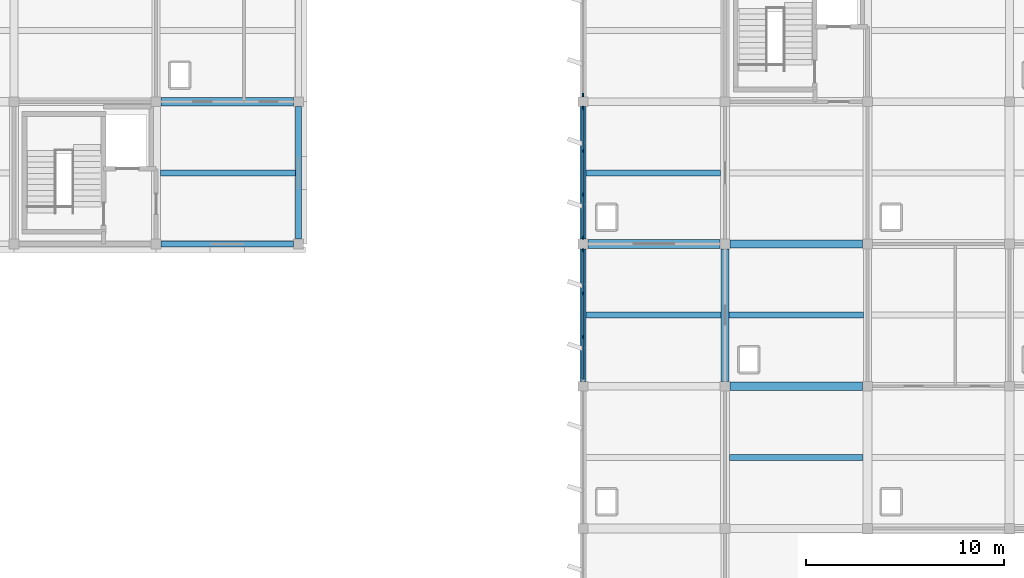
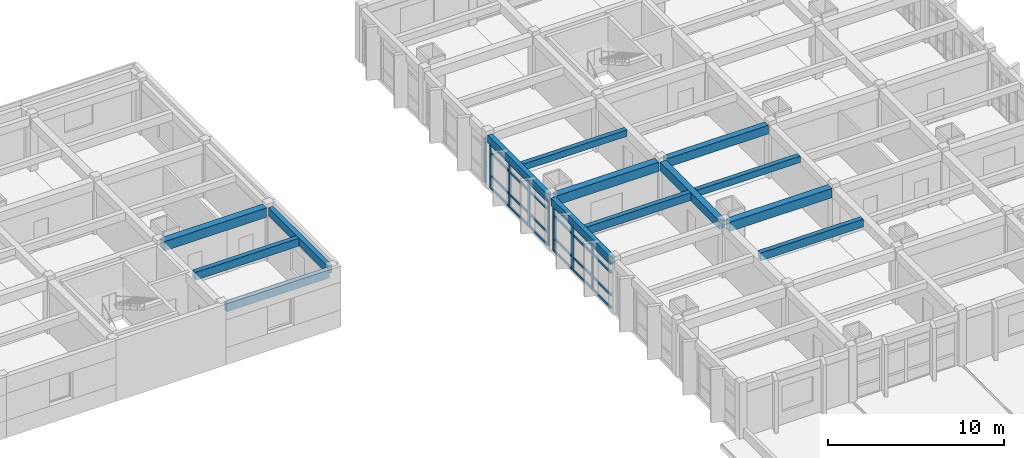
# One storey, part 14 of 40: 32 members, 14 beams, 3 elements without a shape of their own.
"""IFC4 building model written with IfcOpenShell, lengths in metres."""

from ifc_helpers import new_model, si_unit, direction, frame, origin, origin_2d, place, context, subcontext, project, spatial, rectangle, extrude, material, layer, layer_set, material_profile, profile_set, type_object, element, aggregate, save


model = new_model("IFC4")

# Units and contexts
model_context = context("Model", 3, precision=1e-05, world=origin(), true_north=direction((0.0, 1.0)))
body_context = subcontext(model_context, "Body", "Model", "MODEL_VIEW")
ifc_project = project(units=[si_unit("LENGTHUNIT", "METRE"), si_unit("AREAUNIT", "SQUARE_METRE"), si_unit("VOLUMEUNIT", "CUBIC_METRE"), si_unit("PLANEANGLEUNIT", "RADIAN"), si_unit("MASSUNIT", "GRAM", prefix="KILO")], contexts=[model_context])

# Site, building, storey
site_placement = place(None, origin())
site = spatial("IfcSite", under=ifc_project, at=site_placement, CompositionType="ELEMENT")
building_placement = place(site_placement, origin())
building = spatial("IfcBuilding", under=site, at=building_placement, Name="Kavelor Marine Aquarium", CompositionType="ELEMENT")
storey_placement = place(building_placement, frame((0.0, 0.0, 17.639892578125)))
storey = spatial("IfcBuildingStorey", under=building, at=storey_placement, Name="L04", CompositionType="ELEMENT", Elevation=17.639892578125)

# Beams
ifc_material_1 = material(Name="Concrete C40/50", Category="concrete")
ifc_material_profile_1 = material_profile(ifc_material_1, rectangle(XDim=0.449951171875, YDim=0.64990234375, at=origin_2d()), Name="RC-BM 450x650")
ifc_profile_set_1 = profile_set([ifc_material_profile_1], Name="Concrete C40/50")
beam_type_1 = type_object("IfcBeamType", Name="BM-B3", PredefinedType="BEAM", material=ifc_profile_set_1)
beam_1_placement = place(storey_placement, frame((97.050048828125, 96.39990234375, 3.375), z_axis=(1.0, 0.0, 0.0), x_axis=(0.0, 1.0, 0.0)))
element("IfcBeam", 1, at=beam_1_placement, inside=storey, type_object=beam_type_1, Name="bm:x:L04:L05:13_13", PredefinedType="BEAM", context=body_context, shape_type="SweptSolid", body=[
    extrude(rectangle(XDim=0.449951171875, YDim=0.64990234375, at=origin_2d()), origin(), (0.0, 0.0, 1.0), 6.699951171875),
])
beam_2_placement = place(storey_placement, frame((118.64990234375, 89.199951171875, 3.355224609375), z_axis=(1.0, 0.0, 0.0), x_axis=(0.0, 1.0, 0.0)))
element("IfcBeam", 2, at=beam_2_placement, inside=storey, type_object=beam_type_1, Name="bm:x:L04:L05:16_12", PredefinedType="BEAM", context=body_context, shape_type="SweptSolid", body=[
    extrude(rectangle(XDim=0.449951171875, YDim=0.64990234375, at=origin_2d()), origin(), (0.0, 0.0, 1.0), 6.7001953125),
])
beam_3_placement = place(storey_placement, frame((125.85009765625, 82.0, 3.375), z_axis=(1.0, 0.0, 0.0), x_axis=(0.0, 1.0, 0.0)))
element("IfcBeam", 3, at=beam_3_placement, inside=storey, type_object=beam_type_1, Name="bm:x:L04:L05:17_11", PredefinedType="BEAM", context=body_context, shape_type="SweptSolid", body=[
    extrude(rectangle(XDim=0.449951171875, YDim=0.64990234375, at=origin_2d()), origin(), (0.0, 0.0, 1.0), 6.699951171875),
])
ifc_material_2 = material(Name="Concrete C40/50", Category="concrete")
ifc_material_profile_2 = material_profile(ifc_material_2, rectangle(XDim=0.39990234375, YDim=0.60009765625, at=origin_2d()), Name="RC-BM 400x600")
ifc_profile_set_2 = profile_set([ifc_material_profile_2], Name="Concrete C40/50")
beam_type_2 = type_object("IfcBeamType", Name="BM-B4", PredefinedType="BEAM", material=ifc_profile_set_2)
for number, where, z_axis, x_axis, name in (
    (4, (125.85009765625, 89.199951171875, 3.400146484375), (1.0, 0.0, 0.0), (0.0, 1.0, 0.0), "bm:x:L04:L05:17_12"),
    (5, (125.60009765625, 82.25, 3.380126953125), (0.0, 1.0, 0.0), (-1.0, 0.0, 0.0), "bm:y:L04:L05:17_11"),
):
    element("IfcBeam", number, at=place(storey_placement, frame(where, z_axis=z_axis, x_axis=x_axis)), inside=storey, type_object=beam_type_2, Name=name, PredefinedType="BEAM", context=body_context, shape_type="SweptSolid", body=[
        extrude(rectangle(XDim=0.39990234375, YDim=0.60009765625, at=origin_2d()), origin(), (0.0, 0.0, 1.0), 6.699951171875),
    ])
ifc_material_3 = material(Name="Concrete C40/50", Category="concrete")
ifc_material_profile_3 = material_profile(ifc_material_3, rectangle(XDim=0.300048828125, YDim=0.449951171875, at=origin_2d()), Name="RC-JS 300x450")
ifc_profile_set_3 = profile_set([ifc_material_profile_3], Name="Concrete C40/50")
beam_type_3 = type_object("IfcBeamType", Name="BM-JS1", PredefinedType="JOIST", material=ifc_profile_set_3)
beam_4_placement = place(storey_placement, frame((118.550048828125, 92.800048828125, 3.455078125), z_axis=(1.0, 0.0, 0.0), x_axis=(0.0, 1.0, 0.0)))
element("IfcBeam", 6, at=beam_4_placement, inside=storey, type_object=beam_type_3, Name="js:L04:L05:16_12", PredefinedType="JOIST", context=body_context, shape_type="SweptSolid", body=[
    extrude(rectangle(XDim=0.300048828125, YDim=0.449951171875, at=origin_2d()), origin(), (0.0, 0.0, 1.0), 6.824951171875),
])
beam_5_placement = place(storey_placement, frame((125.800048828125, 85.60009765625, 3.47509765625), z_axis=(1.0, 0.0, 0.0), x_axis=(0.0, 1.0, 0.0)))
element("IfcBeam", 7, at=beam_5_placement, inside=storey, type_object=beam_type_3, Name="js:L04:L05:17_11", PredefinedType="JOIST", context=body_context, shape_type="SweptSolid", body=[
    extrude(rectangle(XDim=0.300048828125, YDim=0.449951171875, at=origin_2d()), origin(), (0.0, 0.0, 1.0), 6.800048828125),
])
ifc_material_4 = material(Name="Concrete C40/50", Category="concrete")
ifc_material_profile_4 = material_profile(ifc_material_4, rectangle(XDim=0.300048828125, YDim=0.550048828125, at=origin_2d()), Name="RC-JS 300x550")
ifc_profile_set_4 = profile_set([ifc_material_profile_4], Name="Concrete C40/50")
beam_type_4 = type_object("IfcBeamType", Name="BM-JS2", PredefinedType="JOIST", material=ifc_profile_set_4)
beam_6_placement = place(storey_placement, frame((97.02490234375, 92.800048828125, 3.425048828125), z_axis=(1.0, 0.0, 0.0), x_axis=(0.0, 1.0, 0.0)))
element("IfcBeam", 8, at=beam_6_placement, inside=storey, type_object=beam_type_4, Name="js:L04:L05:13_12", PredefinedType="JOIST", context=body_context, shape_type="SweptSolid", body=[
    extrude(rectangle(XDim=0.300048828125, YDim=0.550048828125, at=origin_2d()), origin(), (0.0, 0.0, 1.0), 6.8251953125),
])
beam_7_placement = place(storey_placement, frame((118.550048828125, 85.60009765625, 3.405029296875), z_axis=(1.0, 0.0, 0.0), x_axis=(0.0, 1.0, 0.0)))
element("IfcBeam", 9, at=beam_7_placement, inside=storey, type_object=beam_type_4, Name="js:L04:L05:16_11", PredefinedType="JOIST", context=body_context, shape_type="SweptSolid", body=[
    extrude(rectangle(XDim=0.300048828125, YDim=0.550048828125, at=origin_2d()), origin(), (0.0, 0.0, 1.0), 6.849853515625),
])
beam_8_placement = place(storey_placement, frame((125.824951171875, 78.39990234375, 3.425048828125), z_axis=(1.0, 0.0, 0.0), x_axis=(0.0, 1.0, 0.0)))
element("IfcBeam", 10, at=beam_8_placement, inside=storey, type_object=beam_type_4, Name="js:L04:L05:17_10", PredefinedType="JOIST", context=body_context, shape_type="SweptSolid", body=[
    extrude(rectangle(XDim=0.300048828125, YDim=0.550048828125, at=origin_2d()), origin(), (0.0, 0.0, 1.0), 6.75),
])
ifc_material_5 = material(Name="Concrete C40/50", Category="concrete")
ifc_material_profile_5 = material_profile(ifc_material_5, rectangle(XDim=0.300048828125, YDim=0.550048828125, at=origin_2d()), Name="RC-SP 300x550")
ifc_profile_set_5 = profile_set([ifc_material_profile_5], Name="Concrete C40/50")
beam_type_5 = type_object("IfcBeamType", Name="BM-SP2", PredefinedType="SPANDREL", material=ifc_profile_set_5)
for number, where, z_axis, x_axis, name in (
    (11, (97.050048828125, 89.199951171875, 3.425048828125), (1.0, 0.0, 0.0), (0.0, 1.0, 0.0), "bm:x:L04:L05:13_12"),
    (12, (104.0, 89.449951171875, 3.425048828125), (0.0, 1.0, 0.0), (-1.0, 0.0, 0.0), "bm:y:L04:L05:14_12"),
    (13, (118.39990234375, 82.25, 3.405029296875), (0.0, 1.0, 0.0), (-1.0, 0.0, 0.0), "bm:y:L04:L05:16_11"),
    (14, (118.39990234375, 89.449951171875, 3.405029296875), (0.0, 1.0, 0.0), (-1.0, 0.0, 0.0), "bm:y:L04:L05:16_12"),
):
    element("IfcBeam", number, at=place(storey_placement, frame(where, z_axis=z_axis, x_axis=x_axis)), inside=storey, type_object=beam_type_5, Name=name, PredefinedType="SPANDREL", context=body_context, shape_type="SweptSolid", body=[
        extrude(rectangle(XDim=0.300048828125, YDim=0.550048828125, at=origin_2d()), origin(), (0.0, 0.0, 1.0), 6.699951171875),
    ])

# Curtain wall, member
ifc_material_6 = material(Name="Thermally Broken Aluminium and Low-E Glass", Category="aluminium")
ifc_layer_1 = layer(ifc_material_6, 0.31591796875)
ifc_layer_set_1 = layer_set([ifc_layer_1], Name="CW-SYS22")
curtain_wall_type_1 = type_object("IfcCurtainWallType", Name="CW-SYS22", PredefinedType="USERDEFINED", material=ifc_layer_set_1)
curtain_wall_1_placement = place(storey_placement, origin())
curtain_wall_1 = element("IfcCurtainWall", 15, at=curtain_wall_1_placement, inside=storey, type_object=curtain_wall_type_1, Name="cw:y:L04:16_13", ObjectType="Curtain Wall", PredefinedType="USERDEFINED")
ifc_material_7 = material(Name="Anodised Aluminium Alloy 6063-T6", Category="aluminium")
ifc_material_profile_6 = material_profile(ifc_material_7, rectangle(XDim=0.074951171875, YDim=0.179931640625, at=origin_2d()), Name="CW-MUL 75x180")
ifc_profile_set_6 = profile_set([ifc_material_profile_6], Name="Anodised Aluminium Alloy 6063-T6")
member_type_1 = type_object("IfcMemberType", Name="CWM-1", PredefinedType="MULLION", material=ifc_profile_set_6)
member_1_placement = place(storey_placement, frame((118.39990234375, 96.732421875, 0.0), z_axis=(0.0, 0.0, 1.0), x_axis=(1.0, 0.0, 0.0)))
member_1 = element("IfcMember", 16, at=member_1_placement, type_object=member_type_1, Name="CW22 mullion 4", PredefinedType="MULLION", context=body_context, shape_type="SweptSolid", body=[
    extrude(rectangle(XDim=0.074951171875, YDim=0.179931640625, at=origin_2d()), origin(), (0.0, 0.0, 1.0), 3.1201171875),
])
aggregate(curtain_wall_1, [member_1])

# Curtain wall, members
ifc_material_8 = material(Name="Thermally Broken Aluminium and Low-E Glass", Category="aluminium")
ifc_layer_2 = layer(ifc_material_8, 0.300048828125)
ifc_layer_set_2 = layer_set([ifc_layer_2], Name="CW-SYS20")
curtain_wall_type_2 = type_object("IfcCurtainWallType", Name="CW-SYS20", PredefinedType="USERDEFINED", material=ifc_layer_set_2)
curtain_wall_2_placement = place(storey_placement, origin())
curtain_wall_2 = element("IfcCurtainWall", 17, at=curtain_wall_2_placement, inside=storey, type_object=curtain_wall_type_2, Name="cw:y:L04:16_11", ObjectType="Curtain Wall", PredefinedType="USERDEFINED")
ifc_material_9 = material(Name="Anodised Aluminium Alloy 6063-T6", Category="aluminium")
ifc_material_profile_7 = material_profile(ifc_material_9, rectangle(XDim=0.080078125, YDim=0.18505859375, at=origin_2d()), Name="CW-MUL 80x185")
ifc_profile_set_7 = profile_set([ifc_material_profile_7], Name="Anodised Aluminium Alloy 6063-T6")
member_type_2 = type_object("IfcMemberType", Name="CWM-2", PredefinedType="MULLION", material=ifc_profile_set_7)
member_2_placement = place(storey_placement, frame((118.39990234375, 88.87255859375, 0.0), z_axis=(0.0, 0.0, 1.0), x_axis=(1.0, 0.0, 0.0)))
member_2 = element("IfcMember", 18, at=member_2_placement, type_object=member_type_2, Name="CW20 mullion 1", PredefinedType="MULLION", context=body_context, shape_type="SweptSolid", body=[
    extrude(rectangle(XDim=0.080078125, YDim=0.18505859375, at=origin_2d()), origin(), (0.0, 0.0, 1.0), 3.1201171875),
])
member_3_placement = place(storey_placement, frame((118.39990234375, 86.70166015625, 0.0), z_axis=(0.0, 0.0, 1.0), x_axis=(1.0, 0.0, 0.0)))
member_3 = element("IfcMember", 19, at=member_3_placement, type_object=member_type_2, Name="CW20 mullion 2", PredefinedType="MULLION", context=body_context, shape_type="SweptSolid", body=[
    extrude(rectangle(XDim=0.080078125, YDim=0.18505859375, at=origin_2d()), origin(), (0.0, 0.0, 1.0), 3.1201171875),
])
member_4_placement = place(storey_placement, frame((118.39990234375, 84.498291015625, 0.0), z_axis=(0.0, 0.0, 1.0), x_axis=(1.0, 0.0, 0.0)))
member_4 = element("IfcMember", 20, at=member_4_placement, type_object=member_type_2, Name="CW20 mullion 3", PredefinedType="MULLION", context=body_context, shape_type="SweptSolid", body=[
    extrude(rectangle(XDim=0.080078125, YDim=0.18505859375, at=origin_2d()), origin(), (0.0, 0.0, 1.0), 3.1201171875),
])

ifc_material_10 = material(Name="Thermally Broken Aluminium and Low-E Glass", Category="aluminium")
ifc_layer_3 = layer(ifc_material_10, 0.30810546875)
ifc_layer_set_3 = layer_set([ifc_layer_3], Name="CW-SYS21")
curtain_wall_type_3 = type_object("IfcCurtainWallType", Name="CW-SYS21", PredefinedType="USERDEFINED", material=ifc_layer_set_3)
curtain_wall_3_placement = place(storey_placement, origin())
curtain_wall_3 = element("IfcCurtainWall", 21, at=curtain_wall_3_placement, inside=storey, type_object=curtain_wall_type_3, Name="cw:y:L04:16_12", ObjectType="Curtain Wall", PredefinedType="USERDEFINED")
ifc_material_11 = material(Name="Anodised Aluminium Alloy 6063-T6", Category="aluminium")
ifc_material_profile_8 = material_profile(ifc_material_11, rectangle(XDim=0.0849609375, YDim=0.18994140625, at=origin_2d()), Name="CW-MUL 85x190")
ifc_profile_set_8 = profile_set([ifc_material_profile_8], Name="Anodised Aluminium Alloy 6063-T6")
member_type_3 = type_object("IfcMemberType", Name="CWM-3", PredefinedType="MULLION", material=ifc_profile_set_8)
member_5_placement = place(storey_placement, frame((118.39990234375, 96.074951171875, 0.0), z_axis=(0.0, 0.0, 1.0), x_axis=(1.0, 0.0, 0.0)))
member_5 = element("IfcMember", 22, at=member_5_placement, type_object=member_type_3, Name="CW21 mullion 1", PredefinedType="MULLION", context=body_context, shape_type="SweptSolid", body=[
    extrude(rectangle(XDim=0.0849609375, YDim=0.18994140625, at=origin_2d()), origin(), (0.0, 0.0, 1.0), 3.1201171875),
])
member_6_placement = place(storey_placement, frame((118.39990234375, 93.901611328125, 0.0), z_axis=(0.0, 0.0, 1.0), x_axis=(1.0, 0.0, 0.0)))
member_6 = element("IfcMember", 23, at=member_6_placement, type_object=member_type_3, Name="CW21 mullion 2", PredefinedType="MULLION", context=body_context, shape_type="SweptSolid", body=[
    extrude(rectangle(XDim=0.0849609375, YDim=0.18994140625, at=origin_2d()), origin(), (0.0, 0.0, 1.0), 3.1201171875),
])
member_7_placement = place(storey_placement, frame((118.39990234375, 91.6982421875, 0.0), z_axis=(0.0, 0.0, 1.0), x_axis=(1.0, 0.0, 0.0)))
member_7 = element("IfcMember", 24, at=member_7_placement, type_object=member_type_3, Name="CW21 mullion 3", PredefinedType="MULLION", context=body_context, shape_type="SweptSolid", body=[
    extrude(rectangle(XDim=0.0849609375, YDim=0.18994140625, at=origin_2d()), origin(), (0.0, 0.0, 1.0), 3.1201171875),
])
member_8_placement = place(storey_placement, frame((118.39990234375, 89.52490234375, 0.0), z_axis=(0.0, 0.0, 1.0), x_axis=(1.0, 0.0, 0.0)))
member_8 = element("IfcMember", 25, at=member_8_placement, type_object=member_type_3, Name="CW21 mullion 4", PredefinedType="MULLION", context=body_context, shape_type="SweptSolid", body=[
    extrude(rectangle(XDim=0.0849609375, YDim=0.18994140625, at=origin_2d()), origin(), (0.0, 0.0, 1.0), 3.1201171875),
])

# Member
ifc_material_12 = material(Name="Anodised Aluminium Alloy 6063-T6", Category="aluminium")
ifc_material_profile_9 = material_profile(ifc_material_12, rectangle(XDim=0.080078125, YDim=0.155029296875, at=origin_2d()), Name="CW-TRN 80x155")
ifc_profile_set_9 = profile_set([ifc_material_profile_9], Name="Anodised Aluminium Alloy 6063-T6")
member_type_4 = type_object("IfcMemberType", Name="CWT-2", PredefinedType="USERDEFINED", material=ifc_profile_set_9)
member_9_placement = place(storey_placement, frame((118.39990234375, 88.840087890625, 0.03271484375), z_axis=(0.0, -1.0, 0.0), x_axis=(1.0, 0.0, 0.0)))
member_9 = element("IfcMember", 26, at=member_9_placement, type_object=member_type_4, Name="CW20 transom 1.1", ObjectType="TRANSOM", PredefinedType="USERDEFINED", context=body_context, shape_type="SweptSolid", body=[
    extrude(rectangle(XDim=0.080078125, YDim=0.155029296875, at=origin_2d()), origin(), (0.0, 0.0, 1.0), 2.10595703125),
])

member_10_placement = place(storey_placement, frame((118.39990234375, 88.840087890625, 0.900146484375), z_axis=(0.0, -1.0, 0.0), x_axis=(1.0, 0.0, 0.0)))
member_10 = element("IfcMember", 27, at=member_10_placement, type_object=member_type_4, Name="CW20 transom 1.2", ObjectType="TRANSOM", PredefinedType="USERDEFINED", context=body_context, shape_type="SweptSolid", body=[
    extrude(rectangle(XDim=0.080078125, YDim=0.155029296875, at=origin_2d()), origin(), (0.0, 0.0, 1.0), 2.10595703125),
])

member_11_placement = place(storey_placement, frame((118.39990234375, 88.840087890625, 2.47021484375), z_axis=(0.0, -1.0, 0.0), x_axis=(1.0, 0.0, 0.0)))
member_11 = element("IfcMember", 28, at=member_11_placement, type_object=member_type_4, Name="CW20 transom 1.3", ObjectType="TRANSOM", PredefinedType="USERDEFINED", context=body_context, shape_type="SweptSolid", body=[
    extrude(rectangle(XDim=0.080078125, YDim=0.155029296875, at=origin_2d()), origin(), (0.0, 0.0, 1.0), 2.10595703125),
])

member_12_placement = place(storey_placement, frame((118.39990234375, 88.840087890625, 3.087646484375), z_axis=(0.0, -1.0, 0.0), x_axis=(1.0, 0.0, 0.0)))
member_12 = element("IfcMember", 29, at=member_12_placement, type_object=member_type_4, Name="CW20 transom 1.4", ObjectType="TRANSOM", PredefinedType="USERDEFINED", context=body_context, shape_type="SweptSolid", body=[
    extrude(rectangle(XDim=0.080078125, YDim=0.155029296875, at=origin_2d()), origin(), (0.0, 0.0, 1.0), 2.10595703125),
])

member_13_placement = place(storey_placement, frame((118.39990234375, 86.669189453125, 0.03271484375), z_axis=(0.0, -1.0, 0.0), x_axis=(1.0, 0.0, 0.0)))
member_13 = element("IfcMember", 30, at=member_13_placement, type_object=member_type_4, Name="CW20 transom 2.1", ObjectType="TRANSOM", PredefinedType="USERDEFINED", context=body_context, shape_type="SweptSolid", body=[
    extrude(rectangle(XDim=0.080078125, YDim=0.155029296875, at=origin_2d()), origin(), (0.0, 0.0, 1.0), 2.138427734375),
])

member_14_placement = place(storey_placement, frame((118.39990234375, 86.669189453125, 0.900146484375), z_axis=(0.0, -1.0, 0.0), x_axis=(1.0, 0.0, 0.0)))
member_14 = element("IfcMember", 31, at=member_14_placement, type_object=member_type_4, Name="CW20 transom 2.2", ObjectType="TRANSOM", PredefinedType="USERDEFINED", context=body_context, shape_type="SweptSolid", body=[
    extrude(rectangle(XDim=0.080078125, YDim=0.155029296875, at=origin_2d()), origin(), (0.0, 0.0, 1.0), 2.138427734375),
])

member_15_placement = place(storey_placement, frame((118.39990234375, 86.669189453125, 2.47021484375), z_axis=(0.0, -1.0, 0.0), x_axis=(1.0, 0.0, 0.0)))
member_15 = element("IfcMember", 32, at=member_15_placement, type_object=member_type_4, Name="CW20 transom 2.3", ObjectType="TRANSOM", PredefinedType="USERDEFINED", context=body_context, shape_type="SweptSolid", body=[
    extrude(rectangle(XDim=0.080078125, YDim=0.155029296875, at=origin_2d()), origin(), (0.0, 0.0, 1.0), 2.138427734375),
])

member_16_placement = place(storey_placement, frame((118.39990234375, 86.669189453125, 3.087646484375), z_axis=(0.0, -1.0, 0.0), x_axis=(1.0, 0.0, 0.0)))
member_16 = element("IfcMember", 33, at=member_16_placement, type_object=member_type_4, Name="CW20 transom 2.4", ObjectType="TRANSOM", PredefinedType="USERDEFINED", context=body_context, shape_type="SweptSolid", body=[
    extrude(rectangle(XDim=0.080078125, YDim=0.155029296875, at=origin_2d()), origin(), (0.0, 0.0, 1.0), 2.138427734375),
])

member_17_placement = place(storey_placement, frame((118.39990234375, 84.4658203125, 0.03271484375), z_axis=(0.0, -1.0, 0.0), x_axis=(1.0, 0.0, 0.0)))
member_17 = element("IfcMember", 34, at=member_17_placement, type_object=member_type_4, Name="CW20 transom 3.1", ObjectType="TRANSOM", PredefinedType="USERDEFINED", context=body_context, shape_type="SweptSolid", body=[
    extrude(rectangle(XDim=0.080078125, YDim=0.155029296875, at=origin_2d()), origin(), (0.0, 0.0, 1.0), 2.105712890625),
])

member_18_placement = place(storey_placement, frame((118.39990234375, 84.4658203125, 0.900146484375), z_axis=(0.0, -1.0, 0.0), x_axis=(1.0, 0.0, 0.0)))
member_18 = element("IfcMember", 35, at=member_18_placement, type_object=member_type_4, Name="CW20 transom 3.2", ObjectType="TRANSOM", PredefinedType="USERDEFINED", context=body_context, shape_type="SweptSolid", body=[
    extrude(rectangle(XDim=0.080078125, YDim=0.155029296875, at=origin_2d()), origin(), (0.0, 0.0, 1.0), 2.105712890625),
])

member_19_placement = place(storey_placement, frame((118.39990234375, 84.4658203125, 2.47021484375), z_axis=(0.0, -1.0, 0.0), x_axis=(1.0, 0.0, 0.0)))
member_19 = element("IfcMember", 36, at=member_19_placement, type_object=member_type_4, Name="CW20 transom 3.3", ObjectType="TRANSOM", PredefinedType="USERDEFINED", context=body_context, shape_type="SweptSolid", body=[
    extrude(rectangle(XDim=0.080078125, YDim=0.155029296875, at=origin_2d()), origin(), (0.0, 0.0, 1.0), 2.105712890625),
])

member_20_placement = place(storey_placement, frame((118.39990234375, 84.4658203125, 3.087646484375), z_axis=(0.0, -1.0, 0.0), x_axis=(1.0, 0.0, 0.0)))
member_20 = element("IfcMember", 37, at=member_20_placement, type_object=member_type_4, Name="CW20 transom 3.4", ObjectType="TRANSOM", PredefinedType="USERDEFINED", context=body_context, shape_type="SweptSolid", body=[
    extrude(rectangle(XDim=0.080078125, YDim=0.155029296875, at=origin_2d()), origin(), (0.0, 0.0, 1.0), 2.105712890625),
])

aggregate(curtain_wall_2, [member_2, member_3, member_4, member_9, member_10, member_11, member_12, member_13, member_14, member_15, member_16, member_17, member_18, member_19, member_20])

member_21_placement = place(storey_placement, frame((118.39990234375, 96.044921875, 0.03271484375), z_axis=(0.0, -1.0, 0.0), x_axis=(1.0, 0.0, 0.0)))
member_21 = element("IfcMember", 38, at=member_21_placement, type_object=member_type_4, Name="CW21 transom 1.1", ObjectType="TRANSOM", PredefinedType="USERDEFINED", context=body_context, shape_type="SweptSolid", body=[
    extrude(rectangle(XDim=0.080078125, YDim=0.155029296875, at=origin_2d()), origin(), (0.0, 0.0, 1.0), 2.11328125),
])

member_22_placement = place(storey_placement, frame((118.39990234375, 96.044921875, 0.900146484375), z_axis=(0.0, -1.0, 0.0), x_axis=(1.0, 0.0, 0.0)))
member_22 = element("IfcMember", 39, at=member_22_placement, type_object=member_type_4, Name="CW21 transom 1.2", ObjectType="TRANSOM", PredefinedType="USERDEFINED", context=body_context, shape_type="SweptSolid", body=[
    extrude(rectangle(XDim=0.080078125, YDim=0.155029296875, at=origin_2d()), origin(), (0.0, 0.0, 1.0), 2.11328125),
])

member_23_placement = place(storey_placement, frame((118.39990234375, 96.044921875, 2.47021484375), z_axis=(0.0, -1.0, 0.0), x_axis=(1.0, 0.0, 0.0)))
member_23 = element("IfcMember", 40, at=member_23_placement, type_object=member_type_4, Name="CW21 transom 1.3", ObjectType="TRANSOM", PredefinedType="USERDEFINED", context=body_context, shape_type="SweptSolid", body=[
    extrude(rectangle(XDim=0.080078125, YDim=0.155029296875, at=origin_2d()), origin(), (0.0, 0.0, 1.0), 2.11328125),
])

member_24_placement = place(storey_placement, frame((118.39990234375, 96.044921875, 3.087646484375), z_axis=(0.0, -1.0, 0.0), x_axis=(1.0, 0.0, 0.0)))
member_24 = element("IfcMember", 41, at=member_24_placement, type_object=member_type_4, Name="CW21 transom 1.4", ObjectType="TRANSOM", PredefinedType="USERDEFINED", context=body_context, shape_type="SweptSolid", body=[
    extrude(rectangle(XDim=0.080078125, YDim=0.155029296875, at=origin_2d()), origin(), (0.0, 0.0, 1.0), 2.11328125),
])

member_25_placement = place(storey_placement, frame((118.39990234375, 93.87158203125, 0.03271484375), z_axis=(0.0, -1.0, 0.0), x_axis=(1.0, 0.0, 0.0)))
member_25 = element("IfcMember", 42, at=member_25_placement, type_object=member_type_4, Name="CW21 transom 2.1", ObjectType="TRANSOM", PredefinedType="USERDEFINED", context=body_context, shape_type="SweptSolid", body=[
    extrude(rectangle(XDim=0.080078125, YDim=0.155029296875, at=origin_2d()), origin(), (0.0, 0.0, 1.0), 2.143310546875),
])

member_26_placement = place(storey_placement, frame((118.39990234375, 93.87158203125, 0.900146484375), z_axis=(0.0, -1.0, 0.0), x_axis=(1.0, 0.0, 0.0)))
member_26 = element("IfcMember", 43, at=member_26_placement, type_object=member_type_4, Name="CW21 transom 2.2", ObjectType="TRANSOM", PredefinedType="USERDEFINED", context=body_context, shape_type="SweptSolid", body=[
    extrude(rectangle(XDim=0.080078125, YDim=0.155029296875, at=origin_2d()), origin(), (0.0, 0.0, 1.0), 2.143310546875),
])

member_27_placement = place(storey_placement, frame((118.39990234375, 93.87158203125, 2.47021484375), z_axis=(0.0, -1.0, 0.0), x_axis=(1.0, 0.0, 0.0)))
member_27 = element("IfcMember", 44, at=member_27_placement, type_object=member_type_4, Name="CW21 transom 2.3", ObjectType="TRANSOM", PredefinedType="USERDEFINED", context=body_context, shape_type="SweptSolid", body=[
    extrude(rectangle(XDim=0.080078125, YDim=0.155029296875, at=origin_2d()), origin(), (0.0, 0.0, 1.0), 2.143310546875),
])

member_28_placement = place(storey_placement, frame((118.39990234375, 93.87158203125, 3.087646484375), z_axis=(0.0, -1.0, 0.0), x_axis=(1.0, 0.0, 0.0)))
member_28 = element("IfcMember", 45, at=member_28_placement, type_object=member_type_4, Name="CW21 transom 2.4", ObjectType="TRANSOM", PredefinedType="USERDEFINED", context=body_context, shape_type="SweptSolid", body=[
    extrude(rectangle(XDim=0.080078125, YDim=0.155029296875, at=origin_2d()), origin(), (0.0, 0.0, 1.0), 2.143310546875),
])

member_29_placement = place(storey_placement, frame((118.39990234375, 91.668212890625, 0.03271484375), z_axis=(0.0, -1.0, 0.0), x_axis=(1.0, 0.0, 0.0)))
member_29 = element("IfcMember", 46, at=member_29_placement, type_object=member_type_4, Name="CW21 transom 3.1", ObjectType="TRANSOM", PredefinedType="USERDEFINED", context=body_context, shape_type="SweptSolid", body=[
    extrude(rectangle(XDim=0.080078125, YDim=0.155029296875, at=origin_2d()), origin(), (0.0, 0.0, 1.0), 2.11328125),
])

member_30_placement = place(storey_placement, frame((118.39990234375, 91.668212890625, 0.900146484375), z_axis=(0.0, -1.0, 0.0), x_axis=(1.0, 0.0, 0.0)))
member_30 = element("IfcMember", 47, at=member_30_placement, type_object=member_type_4, Name="CW21 transom 3.2", ObjectType="TRANSOM", PredefinedType="USERDEFINED", context=body_context, shape_type="SweptSolid", body=[
    extrude(rectangle(XDim=0.080078125, YDim=0.155029296875, at=origin_2d()), origin(), (0.0, 0.0, 1.0), 2.11328125),
])

member_31_placement = place(storey_placement, frame((118.39990234375, 91.668212890625, 2.47021484375), z_axis=(0.0, -1.0, 0.0), x_axis=(1.0, 0.0, 0.0)))
member_31 = element("IfcMember", 48, at=member_31_placement, type_object=member_type_4, Name="CW21 transom 3.3", ObjectType="TRANSOM", PredefinedType="USERDEFINED", context=body_context, shape_type="SweptSolid", body=[
    extrude(rectangle(XDim=0.080078125, YDim=0.155029296875, at=origin_2d()), origin(), (0.0, 0.0, 1.0), 2.11328125),
])

member_32_placement = place(storey_placement, frame((118.39990234375, 91.668212890625, 3.087646484375), z_axis=(0.0, -1.0, 0.0), x_axis=(1.0, 0.0, 0.0)))
member_32 = element("IfcMember", 49, at=member_32_placement, type_object=member_type_4, Name="CW21 transom 3.4", ObjectType="TRANSOM", PredefinedType="USERDEFINED", context=body_context, shape_type="SweptSolid", body=[
    extrude(rectangle(XDim=0.080078125, YDim=0.155029296875, at=origin_2d()), origin(), (0.0, 0.0, 1.0), 2.11328125),
])

aggregate(curtain_wall_3, [member_5, member_6, member_7, member_8, member_21, member_22, member_23, member_24, member_25, member_26, member_27, member_28, member_29, member_30, member_31, member_32])

save(model, "model.ifc")
